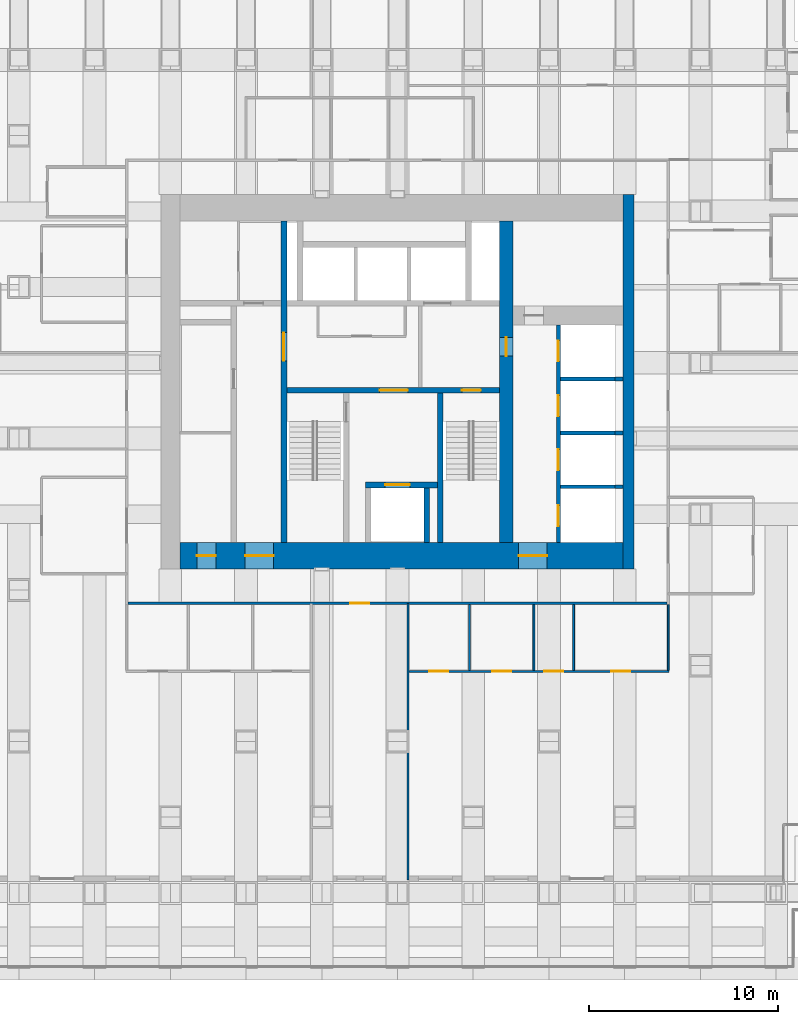
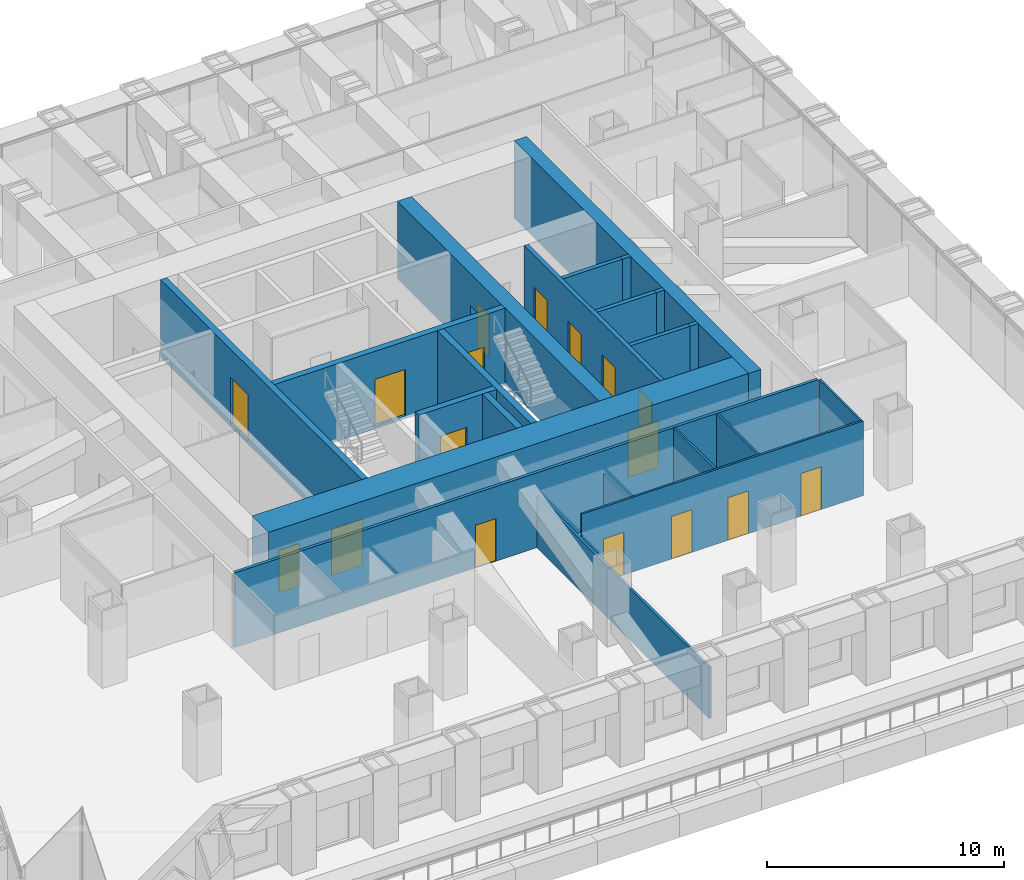
# One storey, part 13 of 18: 22 walls, 17 doors, 17 openings.
"""IFC4 building model written with IfcOpenShell, lengths in metres."""

from ifc_helpers import new_model, si_unit, direction, frame, frame_2d, origin, place, context, subcontext, project, spatial, rectangle, extrude, material, layer, layer_set, type_object, element, fill, save


model = new_model("IFC4")

# Units and contexts
model_context = context("Model", 3, precision=1e-05, world=origin(), true_north=direction((0.0, 1.0)))
body_context = subcontext(model_context, "Body", "Model", "MODEL_VIEW")
ifc_project = project(units=[si_unit("LENGTHUNIT", "METRE"), si_unit("AREAUNIT", "SQUARE_METRE"), si_unit("VOLUMEUNIT", "CUBIC_METRE"), si_unit("PLANEANGLEUNIT", "RADIAN"), si_unit("MASSUNIT", "GRAM", prefix="KILO")], contexts=[model_context])

# Site, building, storey
site_placement = place(None, origin())
site = spatial("IfcSite", under=ifc_project, at=site_placement, CompositionType="ELEMENT")
building_placement = place(site_placement, origin())
building = spatial("IfcBuilding", under=site, at=building_placement, Name="Rimbunsela Tower", CompositionType="ELEMENT")
storey_placement = place(building_placement, frame((0.0, 0.0, 43.0)))
storey = spatial("IfcBuildingStorey", under=building, at=storey_placement, Name="L10", CompositionType="ELEMENT", Elevation=43.0)

# Wall, opening, door
ifc_material_1 = material(Name="Concrete fc' 80 MPa", Category="concrete")
ifc_layer_1 = layer(ifc_material_1, 0.300048828125)
ifc_layer_set_1 = layer_set([ifc_layer_1], Name="Core internal wall 300")
wall_type_1 = type_object("IfcWallType", Name="Core internal wall 300", PredefinedType="SHEAR", material=ifc_layer_set_1)
wall_1_placement = place(storey_placement, frame((24.0, 18.5, -0.14990234375), z_axis=(0.0, 0.0, 1.0), x_axis=(0.0, 1.0, 0.0)))
wall_1 = element("IfcWall", 1, at=wall_1_placement, inside=storey, type_object=wall_type_1, Name="Core wall at stair A", PredefinedType="SHEAR", context=body_context, shape_type="SweptSolid", body=[
    extrude(rectangle(XDim=17.0, YDim=0.300048828125, at=frame_2d((8.5, 0.0))), origin(), (0.0, 0.0, 1.0), 4.0),
])
opening_1_placement = place(wall_1_placement, frame((9.60009765625, 0.0, 0.14990234375)))
opening_1 = element("IfcOpeningElement", 2, at=opening_1_placement, cuts=wall_1, Name="Opening D03", PredefinedType="OPENING", context=body_context, shape_type="SweptSolid", body=[
    extrude(rectangle(XDim=1.5, YDim=2.39990234375, at=frame_2d((0.75, 1.199951171875))), frame((0.0, 0.159912109375, 0.0), z_axis=(0.0, -1.0, 0.0), x_axis=(1.0, 0.0, 0.0)), (0.0, 0.0, 1.0), 0.320068359375),
])
ifc_material_2 = material(Name="Steel door, fire rated", Category="steel")
door_type_1 = type_object("IfcDoorType", Name="Core lobby door 1500", OperationType="DOUBLE_DOOR_DOUBLE_SWING", PredefinedType="DOOR", material=ifc_material_2)
door_1_placement = place(opening_1_placement, origin())
door_1 = element("IfcDoor", 3, at=door_1_placement, inside=storey, type_object=door_type_1, Name="West lobby door", OperationType="DOUBLE_DOOR_DOUBLE_SWING", OverallHeight=2.39990234375, OverallWidth=1.5, PredefinedType="DOOR", context=body_context, shape_type="SweptSolid", body=[
    extrude(rectangle(XDim=1.5, YDim=2.39990234375, at=frame_2d((0.75, 1.199951171875))), frame((0.0, 0.02490234375, 0.0), z_axis=(0.0, -1.0, 0.0), x_axis=(1.0, 0.0, 0.0)), (0.0, 0.0, 1.0), 0.050048828125),
])
fill(opening_1, door_1)

# Wall, openings, doors
wall_2_placement = place(storey_placement, frame((24.14990234375, 26.550048828125, -0.14990234375), z_axis=(0.0, 0.0, 1.0), x_axis=(1.0, 0.0, 0.0)))
wall_2 = element("IfcWall", 4, at=wall_2_placement, inside=storey, type_object=wall_type_1, Name="Core wall lobby south", PredefinedType="SHEAR", context=body_context, shape_type="SweptSolid", body=[
    extrude(rectangle(XDim=11.25, YDim=0.300048828125, at=frame_2d((5.625, 0.0))), origin(), (0.0, 0.0, 1.0), 4.0),
])
opening_2_placement = place(wall_2_placement, frame((9.25, 0.0, 0.14990234375)))
opening_2 = element("IfcOpeningElement", 5, at=opening_2_placement, cuts=wall_2, Name="Opening D01", PredefinedType="OPENING", context=body_context, shape_type="SweptSolid", body=[
    extrude(rectangle(XDim=1.0, YDim=2.199951171875, at=frame_2d((0.5, 1.10009765625))), frame((0.0, 0.159912109375, 0.0), z_axis=(0.0, -1.0, 0.0), x_axis=(1.0, 0.0, 0.0)), (0.0, 0.0, 1.0), 0.320068359375),
])
opening_3_placement = place(wall_2_placement, frame((4.89990234375, 0.0, 0.14990234375)))
opening_3 = element("IfcOpeningElement", 6, at=opening_3_placement, cuts=wall_2, Name="Opening D03", PredefinedType="OPENING", context=body_context, shape_type="SweptSolid", body=[
    extrude(rectangle(XDim=1.5, YDim=2.39990234375, at=frame_2d((0.75, 1.199951171875))), frame((0.0, 0.159912109375, 0.0), z_axis=(0.0, -1.0, 0.0), x_axis=(1.0, 0.0, 0.0)), (0.0, 0.0, 1.0), 0.320068359375),
])
door_2_placement = place(opening_3_placement, origin())
door_2 = element("IfcDoor", 7, at=door_2_placement, inside=storey, type_object=door_type_1, Name="Firefighting lobby door", OperationType="DOUBLE_DOOR_DOUBLE_SWING", OverallHeight=2.39990234375, OverallWidth=1.5, PredefinedType="DOOR", context=body_context, shape_type="SweptSolid", body=[
    extrude(rectangle(XDim=1.5, YDim=2.39990234375, at=frame_2d((0.75, 1.199951171875))), frame((0.0, 0.02490234375, 0.0), z_axis=(0.0, -1.0, 0.0), x_axis=(1.0, 0.0, 0.0)), (0.0, 0.0, 1.0), 0.050048828125),
])
fill(opening_3, door_2)
ifc_material_3 = material(Name="Steel door, fire rated", Category="steel")
door_type_2 = type_object("IfcDoorType", Name="Stair door 1000", OperationType="SINGLE_SWING_RIGHT", PredefinedType="DOOR", material=ifc_material_3)
door_3_placement = place(opening_2_placement, frame((1.0, 0.0, 0.0), z_axis=(0.0, 0.0, 1.0), x_axis=(-1.0, 0.0, 0.0)))
door_3 = element("IfcDoor", 8, at=door_3_placement, inside=storey, type_object=door_type_2, Name="Stair B door", OperationType="SINGLE_SWING_RIGHT", OverallHeight=2.199951171875, OverallWidth=1.0, PredefinedType="DOOR", context=body_context, shape_type="SweptSolid", body=[
    extrude(rectangle(XDim=1.0, YDim=2.199951171875, at=frame_2d((0.5, 1.10009765625))), frame((0.0, 0.02490234375, 0.0), z_axis=(0.0, -1.0, 0.0), x_axis=(1.0, 0.0, 0.0)), (0.0, 0.0, 1.0), 0.050048828125),
])
fill(opening_2, door_3)

# Walls
wall_3_placement = place(storey_placement, frame((32.25, 18.5, -0.14990234375), z_axis=(0.0, 0.0, 1.0), x_axis=(0.0, 1.0, 0.0)))
element("IfcWall", 9, at=wall_3_placement, inside=storey, type_object=wall_type_1, Name="Stair B enclosure", PredefinedType="SHEAR", context=body_context, shape_type="SweptSolid", body=[
    extrude(rectangle(XDim=7.89990234375, YDim=0.300048828125, at=frame_2d((3.949951171875, 0.0))), origin(), (0.0, 0.0, 1.0), 4.0),
])
wall_4_placement = place(storey_placement, frame((31.550048828125, 18.5, -0.14990234375), z_axis=(0.0, 0.0, 1.0), x_axis=(0.0, 1.0, 0.0)))
element("IfcWall", 10, at=wall_4_placement, inside=storey, type_object=wall_type_1, Name="Firefighting lift shaft east", PredefinedType="SHEAR", context=body_context, shape_type="SweptSolid", body=[
    extrude(rectangle(XDim=2.89990234375, YDim=0.300048828125, at=frame_2d((1.449951171875, 0.0))), origin(), (0.0, 0.0, 1.0), 4.0),
])

# Wall, opening, door
wall_5_placement = place(storey_placement, frame((28.300048828125, 21.550048828125, -0.14990234375), z_axis=(0.0, 0.0, 1.0), x_axis=(1.0, 0.0, 0.0)))
wall_5 = element("IfcWall", 11, at=wall_5_placement, inside=storey, type_object=wall_type_1, Name="Firefighting lift shaft front", PredefinedType="SHEAR", context=body_context, shape_type="SweptSolid", body=[
    extrude(rectangle(XDim=3.800048828125, YDim=0.300048828125, at=frame_2d((1.89990234375, 0.0))), origin(), (0.0, 0.0, 1.0), 4.0),
])
opening_4_placement = place(wall_5_placement, frame((1.050048828125, 0.0, 0.14990234375)))
opening_4 = element("IfcOpeningElement", 12, at=opening_4_placement, cuts=wall_5, Name="Opening LD2", PredefinedType="OPENING", context=body_context, shape_type="SweptSolid", body=[
    extrude(rectangle(XDim=1.300048828125, YDim=2.39990234375, at=frame_2d((0.64990234375, 1.199951171875))), frame((0.0, 0.159912109375, 0.0), z_axis=(0.0, -1.0, 0.0), x_axis=(1.0, 0.0, 0.0)), (0.0, 0.0, 1.0), 0.320068359375),
])
ifc_material_4 = material(Name="Steel door, fire rated", Category="steel")
door_type_3 = type_object("IfcDoorType", Name="Lift landing door 1300", OperationType="DOUBLE_DOOR_SLIDING", PredefinedType="DOOR", material=ifc_material_4)
door_4_placement = place(opening_4_placement, origin())
door_4 = element("IfcDoor", 13, at=door_4_placement, inside=storey, type_object=door_type_3, Name="Lift landing door FL1", OperationType="DOUBLE_DOOR_SLIDING", OverallHeight=2.39990234375, OverallWidth=1.300048828125, PredefinedType="DOOR", context=body_context, shape_type="SweptSolid", body=[
    extrude(rectangle(XDim=1.300048828125, YDim=2.39990234375, at=frame_2d((0.64990234375, 1.199951171875))), frame((0.0, 0.02490234375, 0.0), z_axis=(0.0, -1.0, 0.0), x_axis=(1.0, 0.0, 0.0)), (0.0, 0.0, 1.0), 0.050048828125),
])
fill(opening_4, door_4)

# Wall, openings, doors
ifc_material_5 = material(Name="Concrete fc' 80 MPa", Category="concrete")
ifc_layer_2 = layer(ifc_material_5, 1.39990234375)
ifc_layer_set_2 = layer_set([ifc_layer_2], Name="Core wall 1400")
wall_type_2 = type_object("IfcWallType", Name="Core wall 1400", PredefinedType="SHEAR", material=ifc_layer_set_2)
wall_6_placement = place(storey_placement, frame((18.5, 17.800048828125, -0.14990234375), z_axis=(0.0, 0.0, 1.0), x_axis=(1.0, 0.0, 0.0)))
wall_6 = element("IfcWall", 14, at=wall_6_placement, inside=storey, type_object=wall_type_2, Name="Core wall south", PredefinedType="SHEAR", context=body_context, shape_type="SweptSolid", body=[
    extrude(rectangle(XDim=23.39990234375, YDim=1.39990234375, at=frame_2d((11.699951171875, 0.0))), origin(), (0.0, 0.0, 1.0), 4.0),
])
opening_5_placement = place(wall_6_placement, frame((3.449951171875, 0.0, 0.14990234375)))
opening_5 = element("IfcOpeningElement", 15, at=opening_5_placement, cuts=wall_6, Name="Opening D03", PredefinedType="OPENING", context=body_context, shape_type="SweptSolid", body=[
    extrude(rectangle(XDim=1.5, YDim=2.39990234375, at=frame_2d((0.75, 1.199951171875))), frame((0.0, 0.7099609375, 0.0), z_axis=(0.0, -1.0, 0.0), x_axis=(1.0, 0.0, 0.0)), (0.0, 0.0, 1.0), 1.419921875),
])
opening_6_placement = place(wall_6_placement, frame((17.89990234375, 0.0, 0.14990234375)))
opening_6 = element("IfcOpeningElement", 16, at=opening_6_placement, cuts=wall_6, Name="Opening D03", PredefinedType="OPENING", context=body_context, shape_type="SweptSolid", body=[
    extrude(rectangle(XDim=1.5, YDim=2.39990234375, at=frame_2d((0.75, 1.199951171875))), frame((0.0, 0.7099609375, 0.0), z_axis=(0.0, -1.0, 0.0), x_axis=(1.0, 0.0, 0.0)), (0.0, 0.0, 1.0), 1.419921875),
])
opening_7_placement = place(wall_6_placement, frame((0.89990234375, 0.0, 0.14990234375)))
opening_7 = element("IfcOpeningElement", 17, at=opening_7_placement, cuts=wall_6, Name="Opening D19", PredefinedType="OPENING", context=body_context, shape_type="SweptSolid", body=[
    extrude(rectangle(XDim=1.0, YDim=2.199951171875, at=frame_2d((0.5, 1.10009765625))), frame((0.0, 0.7099609375, 0.0), z_axis=(0.0, -1.0, 0.0), x_axis=(1.0, 0.0, 0.0)), (0.0, 0.0, 1.0), 1.419921875),
])
door_5_placement = place(opening_5_placement, origin())
door_5 = element("IfcDoor", 18, at=door_5_placement, inside=storey, type_object=door_type_1, Name="Core door south", OperationType="DOUBLE_DOOR_DOUBLE_SWING", OverallHeight=2.39990234375, OverallWidth=1.5, PredefinedType="DOOR", context=body_context, shape_type="SweptSolid", body=[
    extrude(rectangle(XDim=1.5, YDim=2.39990234375, at=frame_2d((0.75, 1.199951171875))), frame((0.0, 0.02490234375, 0.0), z_axis=(0.0, -1.0, 0.0), x_axis=(1.0, 0.0, 0.0)), (0.0, 0.0, 1.0), 0.050048828125),
])
fill(opening_5, door_5)
door_6_placement = place(opening_6_placement, origin())
door_6 = element("IfcDoor", 19, at=door_6_placement, inside=storey, type_object=door_type_1, Name="Core door south-east", OperationType="DOUBLE_DOOR_DOUBLE_SWING", OverallHeight=2.39990234375, OverallWidth=1.5, PredefinedType="DOOR", context=body_context, shape_type="SweptSolid", body=[
    extrude(rectangle(XDim=1.5, YDim=2.39990234375, at=frame_2d((0.75, 1.199951171875))), frame((0.0, 0.02490234375, 0.0), z_axis=(0.0, -1.0, 0.0), x_axis=(1.0, 0.0, 0.0)), (0.0, 0.0, 1.0), 0.050048828125),
])
fill(opening_6, door_6)
ifc_material_6 = material(Name="Steel door, fire rated", Category="steel")
door_type_4 = type_object("IfcDoorType", Name="Service door 1000 fire rated", OperationType="SINGLE_SWING_LEFT", PredefinedType="DOOR", material=ifc_material_6)
door_7_placement = place(opening_7_placement, origin())
door_7 = element("IfcDoor", 20, at=door_7_placement, inside=storey, type_object=door_type_4, Name="Electrical room door", OperationType="SINGLE_SWING_LEFT", OverallHeight=2.199951171875, OverallWidth=1.0, PredefinedType="DOOR", context=body_context, shape_type="SweptSolid", body=[
    extrude(rectangle(XDim=1.0, YDim=2.199951171875, at=frame_2d((0.5, 1.10009765625))), frame((0.0, 0.02490234375, 0.0), z_axis=(0.0, -1.0, 0.0), x_axis=(1.0, 0.0, 0.0)), (0.0, 0.0, 1.0), 0.050048828125),
])
fill(opening_7, door_7)

# Wall
ifc_material_7 = material(Name="Concrete fc' 80 MPa", Category="concrete")
ifc_layer_3 = layer(ifc_material_7, 0.60009765625)
ifc_layer_set_3 = layer_set([ifc_layer_3], Name="Core wall 600")
wall_type_3 = type_object("IfcWallType", Name="Core wall 600", PredefinedType="SHEAR", material=ifc_layer_set_3)
wall_7_placement = place(storey_placement, frame((42.199951171875, 17.10009765625, -0.14990234375), z_axis=(0.0, 0.0, 1.0), x_axis=(0.0, 1.0, 0.0)))
element("IfcWall", 21, at=wall_7_placement, inside=storey, type_object=wall_type_3, Name="Core wall east", PredefinedType="SHEAR", context=body_context, shape_type="SweptSolid", body=[
    extrude(rectangle(XDim=19.7998046875, YDim=0.60009765625, at=frame_2d((9.89990234375, 0.0))), origin(), (0.0, 0.0, 1.0), 4.0),
])

# Wall, opening, door
ifc_material_8 = material(Name="Concrete fc' 80 MPa", Category="concrete")
ifc_layer_4 = layer(ifc_material_8, 0.699951171875)
ifc_layer_set_4 = layer_set([ifc_layer_4], Name="Core wall 700 east")
wall_type_4 = type_object("IfcWallType", Name="Core wall 700 east", PredefinedType="SHEAR", material=ifc_layer_set_4)
wall_8_placement = place(storey_placement, frame((35.75, 18.5, -0.14990234375), z_axis=(0.0, 0.0, 1.0), x_axis=(0.0, 1.0, 0.0)))
wall_8 = element("IfcWall", 22, at=wall_8_placement, inside=storey, type_object=wall_type_4, Name="Core wall low-rise bank", PredefinedType="SHEAR", context=body_context, shape_type="SweptSolid", body=[
    extrude(rectangle(XDim=17.0, YDim=0.699951171875, at=frame_2d((8.5, 0.0))), origin(), (0.0, 0.0, 1.0), 4.0),
])
opening_8_placement = place(wall_8_placement, frame((9.85009765625, 0.0, 0.14990234375)))
opening_8 = element("IfcOpeningElement", 23, at=opening_8_placement, cuts=wall_8, Name="Opening D01", PredefinedType="OPENING", context=body_context, shape_type="SweptSolid", body=[
    extrude(rectangle(XDim=1.0, YDim=2.199951171875, at=frame_2d((0.5, 1.10009765625))), frame((0.0, 0.35986328125, 0.0), z_axis=(0.0, -1.0, 0.0), x_axis=(1.0, 0.0, 0.0)), (0.0, 0.0, 1.0), 0.719970703125),
])
door_8_placement = place(opening_8_placement, origin())
door_8 = element("IfcDoor", 24, at=door_8_placement, inside=storey, type_object=door_type_2, Name="Firefighting lobby 2 door", OperationType="SINGLE_SWING_RIGHT", OverallHeight=2.199951171875, OverallWidth=1.0, PredefinedType="DOOR", context=body_context, shape_type="SweptSolid", body=[
    extrude(rectangle(XDim=1.0, YDim=2.199951171875, at=frame_2d((0.5, 1.10009765625))), frame((0.0, 0.02490234375, 0.0), z_axis=(0.0, -1.0, 0.0), x_axis=(1.0, 0.0, 0.0)), (0.0, 0.0, 1.0), 0.050048828125),
])
fill(opening_8, door_8)

# Wall, openings, doors
ifc_material_9 = material(Name="Concrete blockwork", Category="masonry")
ifc_layer_5 = layer(ifc_material_9, 0.199951171875)
ifc_layer_set_5 = layer_set([ifc_layer_5], Name="Lift shaft wall 200")
wall_type_5 = type_object("IfcWallType", Name="Lift shaft wall 200", PredefinedType="SOLIDWALL", material=ifc_layer_set_5)
wall_9_placement = place(storey_placement, frame((38.5, 18.5, -0.14990234375), z_axis=(0.0, 0.0, 1.0), x_axis=(0.0, 1.0, 0.0)))
wall_9 = element("IfcWall", 25, at=wall_9_placement, inside=storey, type_object=wall_type_5, Name="Lift shaft front east", PredefinedType="SOLIDWALL", context=body_context, shape_type="SweptSolid", body=[
    extrude(rectangle(XDim=11.5, YDim=0.199951171875, at=frame_2d((5.75, 0.0))), origin(), (0.0, 0.0, 1.0), 4.0),
])
opening_9_placement = place(wall_9_placement, frame((0.875, 0.0, 0.14990234375)))
opening_9 = element("IfcOpeningElement", 26, at=opening_9_placement, cuts=wall_9, Name="Opening LD1", PredefinedType="OPENING", context=body_context, shape_type="SweptSolid", body=[
    extrude(rectangle(XDim=1.10009765625, YDim=2.199951171875, at=frame_2d((0.550048828125, 1.10009765625))), frame((0.0, 0.10986328125, 0.0), z_axis=(0.0, -1.0, 0.0), x_axis=(1.0, 0.0, 0.0)), (0.0, 0.0, 1.0), 0.219970703125),
])
opening_10_placement = place(wall_9_placement, frame((3.824951171875, 0.0, 0.14990234375)))
opening_10 = element("IfcOpeningElement", 27, at=opening_10_placement, cuts=wall_9, Name="Opening LD1", PredefinedType="OPENING", context=body_context, shape_type="SweptSolid", body=[
    extrude(rectangle(XDim=1.10009765625, YDim=2.199951171875, at=frame_2d((0.550048828125, 1.10009765625))), frame((0.0, 0.10986328125, 0.0), z_axis=(0.0, -1.0, 0.0), x_axis=(1.0, 0.0, 0.0)), (0.0, 0.0, 1.0), 0.219970703125),
])
opening_11_placement = place(wall_9_placement, frame((6.675048828125, 0.0, 0.14990234375)))
opening_11 = element("IfcOpeningElement", 28, at=opening_11_placement, cuts=wall_9, Name="Opening LD1", PredefinedType="OPENING", context=body_context, shape_type="SweptSolid", body=[
    extrude(rectangle(XDim=1.10009765625, YDim=2.199951171875, at=frame_2d((0.550048828125, 1.10009765625))), frame((0.0, 0.10986328125, 0.0), z_axis=(0.0, -1.0, 0.0), x_axis=(1.0, 0.0, 0.0)), (0.0, 0.0, 1.0), 0.219970703125),
])
opening_12_placement = place(wall_9_placement, frame((9.574951171875, 0.0, 0.14990234375)))
opening_12 = element("IfcOpeningElement", 29, at=opening_12_placement, cuts=wall_9, Name="Opening LD1", PredefinedType="OPENING", context=body_context, shape_type="SweptSolid", body=[
    extrude(rectangle(XDim=1.10009765625, YDim=2.199951171875, at=frame_2d((0.550048828125, 1.10009765625))), frame((0.0, 0.10986328125, 0.0), z_axis=(0.0, -1.0, 0.0), x_axis=(1.0, 0.0, 0.0)), (0.0, 0.0, 1.0), 0.219970703125),
])
ifc_material_10 = material(Name="Steel door, fire rated", Category="steel")
door_type_5 = type_object("IfcDoorType", Name="Lift landing door 1100", OperationType="DOUBLE_DOOR_SLIDING", PredefinedType="DOOR", material=ifc_material_10)
door_9_placement = place(opening_9_placement, origin())
door_9 = element("IfcDoor", 30, at=door_9_placement, inside=storey, type_object=door_type_5, Name="Lift landing door LL1", OperationType="DOUBLE_DOOR_SLIDING", OverallHeight=2.199951171875, OverallWidth=1.10009765625, PredefinedType="DOOR", context=body_context, shape_type="SweptSolid", body=[
    extrude(rectangle(XDim=1.10009765625, YDim=2.199951171875, at=frame_2d((0.550048828125, 1.10009765625))), frame((0.0, 0.02490234375, 0.0), z_axis=(0.0, -1.0, 0.0), x_axis=(1.0, 0.0, 0.0)), (0.0, 0.0, 1.0), 0.050048828125),
])
fill(opening_9, door_9)
door_10_placement = place(opening_10_placement, origin())
door_10 = element("IfcDoor", 31, at=door_10_placement, inside=storey, type_object=door_type_5, Name="Lift landing door LL2", OperationType="DOUBLE_DOOR_SLIDING", OverallHeight=2.199951171875, OverallWidth=1.10009765625, PredefinedType="DOOR", context=body_context, shape_type="SweptSolid", body=[
    extrude(rectangle(XDim=1.10009765625, YDim=2.199951171875, at=frame_2d((0.550048828125, 1.10009765625))), frame((0.0, 0.02490234375, 0.0), z_axis=(0.0, -1.0, 0.0), x_axis=(1.0, 0.0, 0.0)), (0.0, 0.0, 1.0), 0.050048828125),
])
fill(opening_10, door_10)
door_11_placement = place(opening_11_placement, origin())
door_11 = element("IfcDoor", 32, at=door_11_placement, inside=storey, type_object=door_type_5, Name="Lift landing door LL3", OperationType="DOUBLE_DOOR_SLIDING", OverallHeight=2.199951171875, OverallWidth=1.10009765625, PredefinedType="DOOR", context=body_context, shape_type="SweptSolid", body=[
    extrude(rectangle(XDim=1.10009765625, YDim=2.199951171875, at=frame_2d((0.550048828125, 1.10009765625))), frame((0.0, 0.02490234375, 0.0), z_axis=(0.0, -1.0, 0.0), x_axis=(1.0, 0.0, 0.0)), (0.0, 0.0, 1.0), 0.050048828125),
])
fill(opening_11, door_11)
door_12_placement = place(opening_12_placement, origin())
door_12 = element("IfcDoor", 33, at=door_12_placement, inside=storey, type_object=door_type_5, Name="Lift landing door LL4", OperationType="DOUBLE_DOOR_SLIDING", OverallHeight=2.199951171875, OverallWidth=1.10009765625, PredefinedType="DOOR", context=body_context, shape_type="SweptSolid", body=[
    extrude(rectangle(XDim=1.10009765625, YDim=2.199951171875, at=frame_2d((0.550048828125, 1.10009765625))), frame((0.0, 0.02490234375, 0.0), z_axis=(0.0, -1.0, 0.0), x_axis=(1.0, 0.0, 0.0)), (0.0, 0.0, 1.0), 0.050048828125),
])
fill(opening_12, door_12)

# Walls
wall_10_placement = place(storey_placement, frame((38.60009765625, 21.449951171875, -0.14990234375), z_axis=(0.0, 0.0, 1.0), x_axis=(1.0, 0.0, 0.0)))
element("IfcWall", 34, at=wall_10_placement, inside=storey, type_object=wall_type_5, Name="Lift shaft separation", PredefinedType="SOLIDWALL", context=body_context, shape_type="SweptSolid", body=[
    extrude(rectangle(XDim=2.89990234375, YDim=0.199951171875, at=frame_2d((1.449951171875, 0.0))), origin(), (0.0, 0.0, 1.0), 4.0),
])
wall_11_placement = place(storey_placement, frame((41.5, 21.449951171875, -0.14990234375), z_axis=(0.0, 0.0, 1.0), x_axis=(1.0, 0.0, 0.0)))
element("IfcWall", 35, at=wall_11_placement, inside=storey, type_object=wall_type_5, Name="Lift shaft separation", PredefinedType="SOLIDWALL", context=body_context, shape_type="SweptSolid", body=[
    extrude(rectangle(XDim=0.39990234375, YDim=0.199951171875, at=frame_2d((0.199951171875, 0.0))), origin(), (0.0, 0.0, 1.0), 4.0),
])
wall_12_placement = place(storey_placement, frame((38.60009765625, 24.300048828125, -0.14990234375), z_axis=(0.0, 0.0, 1.0), x_axis=(1.0, 0.0, 0.0)))
element("IfcWall", 36, at=wall_12_placement, inside=storey, type_object=wall_type_5, Name="Lift shaft separation", PredefinedType="SOLIDWALL", context=body_context, shape_type="SweptSolid", body=[
    extrude(rectangle(XDim=2.89990234375, YDim=0.199951171875, at=frame_2d((1.449951171875, 0.0))), origin(), (0.0, 0.0, 1.0), 4.0),
])
wall_13_placement = place(storey_placement, frame((41.5, 24.300048828125, -0.14990234375), z_axis=(0.0, 0.0, 1.0), x_axis=(1.0, 0.0, 0.0)))
element("IfcWall", 37, at=wall_13_placement, inside=storey, type_object=wall_type_5, Name="Lift shaft separation", PredefinedType="SOLIDWALL", context=body_context, shape_type="SweptSolid", body=[
    extrude(rectangle(XDim=0.39990234375, YDim=0.199951171875, at=frame_2d((0.199951171875, 0.0))), origin(), (0.0, 0.0, 1.0), 4.0),
])
wall_14_placement = place(storey_placement, frame((38.60009765625, 27.14990234375, -0.14990234375), z_axis=(0.0, 0.0, 1.0), x_axis=(1.0, 0.0, 0.0)))
element("IfcWall", 38, at=wall_14_placement, inside=storey, type_object=wall_type_5, Name="Lift shaft separation", PredefinedType="SOLIDWALL", context=body_context, shape_type="SweptSolid", body=[
    extrude(rectangle(XDim=2.89990234375, YDim=0.199951171875, at=frame_2d((1.449951171875, 0.0))), origin(), (0.0, 0.0, 1.0), 4.0),
])
wall_15_placement = place(storey_placement, frame((41.5, 27.14990234375, -0.14990234375), z_axis=(0.0, 0.0, 1.0), x_axis=(1.0, 0.0, 0.0)))
element("IfcWall", 39, at=wall_15_placement, inside=storey, type_object=wall_type_5, Name="Lift shaft separation", PredefinedType="SOLIDWALL", context=body_context, shape_type="SweptSolid", body=[
    extrude(rectangle(XDim=0.39990234375, YDim=0.199951171875, at=frame_2d((0.199951171875, 0.0))), origin(), (0.0, 0.0, 1.0), 4.0),
])

# Wall, openings, doors
ifc_material_11 = material(Name="Gypsum board on steel studs", Category="steel")
ifc_layer_6 = layer(ifc_material_11, 0.10009765625)
ifc_layer_set_6 = layer_set([ifc_layer_6], Name="Office partition 100")
wall_type_6 = type_object("IfcWallType", Name="Office partition 100", PredefinedType="PARTITIONING", material=ifc_layer_set_6)
wall_16_placement = place(storey_placement, frame((30.611083984375, 11.699951171875, 0.0), z_axis=(0.0, 0.0, 1.0), x_axis=(1.0, 0.0, 0.0)))
wall_16 = element("IfcWall", 40, at=wall_16_placement, inside=storey, type_object=wall_type_6, Name="Office partition", PredefinedType="PARTITIONING", context=body_context, shape_type="SweptSolid", body=[
    extrude(rectangle(XDim=13.739013671875, YDim=0.10009765625, at=frame_2d((6.86962890625, 0.0))), origin(), (0.0, 0.0, 1.0), 3.85009765625),
])
opening_13_placement = place(wall_16_placement, frame((1.06494140625, 0.0, 0.0)))
opening_13 = element("IfcOpeningElement", 41, at=opening_13_placement, cuts=wall_16, Name="Opening D16", PredefinedType="OPENING", context=body_context, shape_type="SweptSolid", body=[
    extrude(rectangle(XDim=1.0, YDim=2.199951171875, at=frame_2d((0.5, 1.10009765625))), frame((0.0, 0.06005859375, 0.0), z_axis=(0.0, -1.0, 0.0), x_axis=(1.0, 0.0, 0.0)), (0.0, 0.0, 1.0), 0.1201171875),
])
opening_14_placement = place(wall_16_placement, frame((4.389892578125, 0.0, 0.0)))
opening_14 = element("IfcOpeningElement", 42, at=opening_14_placement, cuts=wall_16, Name="Opening D16", PredefinedType="OPENING", context=body_context, shape_type="SweptSolid", body=[
    extrude(rectangle(XDim=1.0, YDim=2.199951171875, at=frame_2d((0.5, 1.10009765625))), frame((0.0, 0.06005859375, 0.0), z_axis=(0.0, -1.0, 0.0), x_axis=(1.0, 0.0, 0.0)), (0.0, 0.0, 1.0), 0.1201171875),
])
opening_15_placement = place(wall_16_placement, frame((7.139892578125, 0.0, 0.0)))
opening_15 = element("IfcOpeningElement", 43, at=opening_15_placement, cuts=wall_16, Name="Opening D16", PredefinedType="OPENING", context=body_context, shape_type="SweptSolid", body=[
    extrude(rectangle(XDim=1.0, YDim=2.199951171875, at=frame_2d((0.5, 1.10009765625))), frame((0.0, 0.06005859375, 0.0), z_axis=(0.0, -1.0, 0.0), x_axis=(1.0, 0.0, 0.0)), (0.0, 0.0, 1.0), 0.1201171875),
])
opening_16_placement = place(wall_16_placement, frame((10.689453125, 0.0, 0.0)))
opening_16 = element("IfcOpeningElement", 44, at=opening_16_placement, cuts=wall_16, Name="Opening D16", PredefinedType="OPENING", context=body_context, shape_type="SweptSolid", body=[
    extrude(rectangle(XDim=1.0, YDim=2.199951171875, at=frame_2d((0.5, 1.10009765625))), frame((0.0, 0.06005859375, 0.0), z_axis=(0.0, -1.0, 0.0), x_axis=(1.0, 0.0, 0.0)), (0.0, 0.0, 1.0), 0.1201171875),
])
ifc_material_12 = material(Name="Timber door", Category="wood")
door_type_6 = type_object("IfcDoorType", Name="Office door 1000", OperationType="SINGLE_SWING_LEFT", PredefinedType="DOOR", material=ifc_material_12)
door_13_placement = place(opening_13_placement, origin())
door_13 = element("IfcDoor", 45, at=door_13_placement, inside=storey, type_object=door_type_6, Name="Office door", OperationType="SINGLE_SWING_LEFT", OverallHeight=2.199951171875, OverallWidth=1.0, PredefinedType="DOOR", context=body_context, shape_type="SweptSolid", body=[
    extrude(rectangle(XDim=1.0, YDim=2.199951171875, at=frame_2d((0.5, 1.10009765625))), frame((0.0, 0.02490234375, 0.0), z_axis=(0.0, -1.0, 0.0), x_axis=(1.0, 0.0, 0.0)), (0.0, 0.0, 1.0), 0.050048828125),
])
fill(opening_13, door_13)
door_14_placement = place(opening_14_placement, origin())
door_14 = element("IfcDoor", 46, at=door_14_placement, inside=storey, type_object=door_type_6, Name="Office door", OperationType="SINGLE_SWING_LEFT", OverallHeight=2.199951171875, OverallWidth=1.0, PredefinedType="DOOR", context=body_context, shape_type="SweptSolid", body=[
    extrude(rectangle(XDim=1.0, YDim=2.199951171875, at=frame_2d((0.5, 1.10009765625))), frame((0.0, 0.02490234375, 0.0), z_axis=(0.0, -1.0, 0.0), x_axis=(1.0, 0.0, 0.0)), (0.0, 0.0, 1.0), 0.050048828125),
])
fill(opening_14, door_14)
door_15_placement = place(opening_15_placement, origin())
door_15 = element("IfcDoor", 47, at=door_15_placement, inside=storey, type_object=door_type_6, Name="Office door", OperationType="SINGLE_SWING_LEFT", OverallHeight=2.199951171875, OverallWidth=1.0, PredefinedType="DOOR", context=body_context, shape_type="SweptSolid", body=[
    extrude(rectangle(XDim=1.0, YDim=2.199951171875, at=frame_2d((0.5, 1.10009765625))), frame((0.0, 0.02490234375, 0.0), z_axis=(0.0, -1.0, 0.0), x_axis=(1.0, 0.0, 0.0)), (0.0, 0.0, 1.0), 0.050048828125),
])
fill(opening_15, door_15)
door_16_placement = place(opening_16_placement, origin())
door_16 = element("IfcDoor", 48, at=door_16_placement, inside=storey, type_object=door_type_6, Name="Office door", OperationType="SINGLE_SWING_LEFT", OverallHeight=2.199951171875, OverallWidth=1.0, PredefinedType="DOOR", context=body_context, shape_type="SweptSolid", body=[
    extrude(rectangle(XDim=1.0, YDim=2.199951171875, at=frame_2d((0.5, 1.10009765625))), frame((0.0, 0.02490234375, 0.0), z_axis=(0.0, -1.0, 0.0), x_axis=(1.0, 0.0, 0.0)), (0.0, 0.0, 1.0), 0.050048828125),
])
fill(opening_16, door_16)

# Walls
wall_17_placement = place(storey_placement, frame((33.801025390625, 11.75, 0.0), z_axis=(0.0, 0.0, 1.0), x_axis=(0.0, 1.0, 0.0)))
element("IfcWall", 49, at=wall_17_placement, inside=storey, type_object=wall_type_6, Name="Office partition", PredefinedType="PARTITIONING", context=body_context, shape_type="SweptSolid", body=[
    extrude(rectangle(XDim=3.47509765625, YDim=0.10009765625, at=frame_2d((1.737548828125, 0.0))), origin(), (0.0, 0.0, 1.0), 2.64990234375),
])
for number, where, z_axis, x_axis, name in (
    (50, (37.200927734375, 11.75, 0.0), (0.0, 0.0, 1.0), (0.0, 1.0, 0.0), "Office partition"),
    (51, (39.301025390625, 11.75, 0.0), (0.0, 0.0, 1.0), (0.0, 1.0, 0.0), "Office partition"),
    (52, (44.300048828125, 11.75, 0.0), (0.0, 0.0, 1.0), (0.0, 1.0, 0.0), "Office partition"),
):
    element("IfcWall", number, at=place(storey_placement, frame(where, z_axis=z_axis, x_axis=x_axis)), inside=storey, type_object=wall_type_6, Name=name, PredefinedType="PARTITIONING", context=body_context, shape_type="SweptSolid", body=[
        extrude(rectangle(XDim=3.47509765625, YDim=0.10009765625, at=frame_2d((1.737548828125, 0.0))), origin(), (0.0, 0.0, 1.0), 3.85009765625),
    ])

# Wall, opening, door
ifc_material_13 = material(Name="Fire-rated gypsum board on steel studs, EI 60", Category="steel")
ifc_layer_7 = layer(ifc_material_13, 0.14990234375)
ifc_layer_set_7 = layer_set([ifc_layer_7], Name="Rated corridor wall 150")
wall_type_7 = type_object("IfcWallType", Name="Rated corridor wall 150", PredefinedType="PARTITIONING", material=ifc_layer_set_7)
wall_18_placement = place(storey_placement, frame((15.77490234375, 15.300048828125, 0.0), z_axis=(0.0, 0.0, 1.0), x_axis=(1.0, 0.0, 0.0)))
wall_18 = element("IfcWall", 53, at=wall_18_placement, inside=storey, type_object=wall_type_7, Name="Corridor wall south", PredefinedType="PARTITIONING", context=body_context, shape_type="SweptSolid", body=[
    extrude(rectangle(XDim=28.4501953125, YDim=0.14990234375, at=frame_2d((14.22509765625, 0.0))), origin(), (0.0, 0.0, 1.0), 3.85009765625),
])
opening_17_placement = place(wall_18_placement, frame((11.72509765625, 0.0, 0.0)))
opening_17 = element("IfcOpeningElement", 54, at=opening_17_placement, cuts=wall_18, Name="Opening D19", PredefinedType="OPENING", context=body_context, shape_type="SweptSolid", body=[
    extrude(rectangle(XDim=1.0, YDim=2.199951171875, at=frame_2d((0.5, 1.10009765625))), frame((0.0, 0.0849609375, 0.0), z_axis=(0.0, -1.0, 0.0), x_axis=(1.0, 0.0, 0.0)), (0.0, 0.0, 1.0), 0.169921875),
])
door_17_placement = place(opening_17_placement, origin())
door_17 = element("IfcDoor", 55, at=door_17_placement, inside=storey, type_object=door_type_4, Name="Service chase access door", OperationType="SINGLE_SWING_LEFT", OverallHeight=2.199951171875, OverallWidth=1.0, PredefinedType="DOOR", context=body_context, shape_type="SweptSolid", body=[
    extrude(rectangle(XDim=1.0, YDim=2.199951171875, at=frame_2d((0.5, 1.10009765625))), frame((0.0, 0.02490234375, 0.0), z_axis=(0.0, -1.0, 0.0), x_axis=(1.0, 0.0, 0.0)), (0.0, 0.0, 1.0), 0.050048828125),
])
fill(opening_17, door_17)

# Wall
ifc_material_14 = material(Name="Gypsum board on steel studs", Category="steel")
ifc_layer_8 = layer(ifc_material_14, 0.1201171875)
ifc_layer_set_8 = layer_set([ifc_layer_8], Name="Tenancy partition 120")
wall_type_8 = type_object("IfcWallType", Name="Tenancy partition 120", PredefinedType="PARTITIONING", material=ifc_layer_set_8)
wall_19_placement = place(storey_placement, frame((30.550048828125, 0.679931640625, 0.0), z_axis=(0.0, 0.0, 1.0), x_axis=(0.0, 1.0, 0.0)))
element("IfcWall", 56, at=wall_19_placement, inside=storey, type_object=wall_type_8, Name="Tenancy partition", PredefinedType="PARTITIONING", context=body_context, shape_type="SweptSolid", body=[
    extrude(rectangle(XDim=14.6201171875, YDim=0.1201171875, at=frame_2d((7.31005859375, 0.0))), origin(), (0.0, 0.0, 1.0), 2.64990234375),
])

save(model, "model.ifc")
